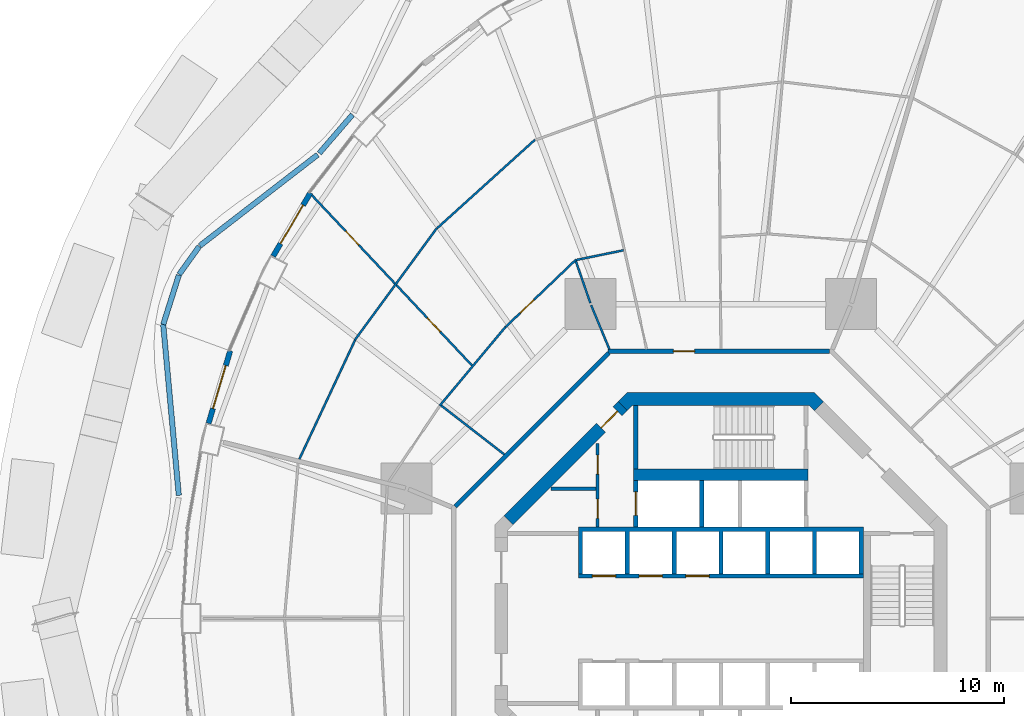
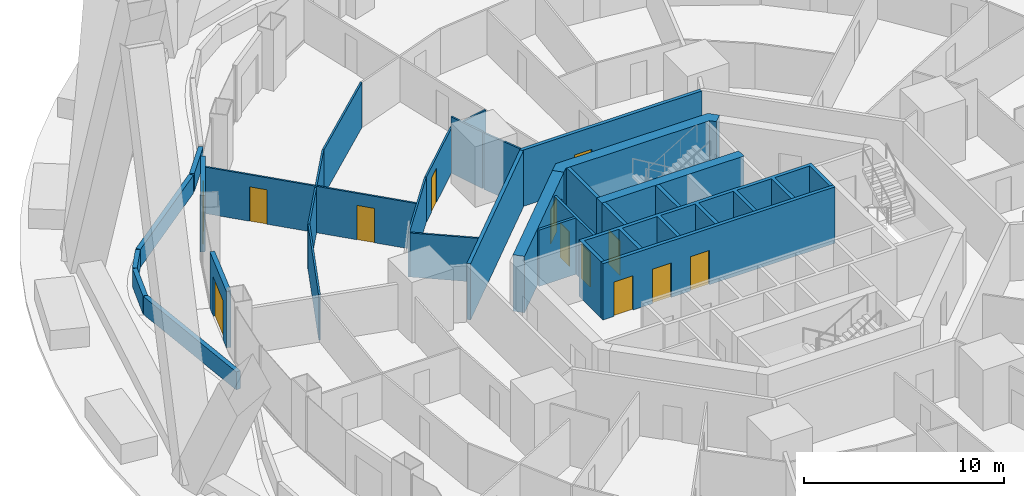
# One storey, part 37 of 42: 29 walls, 13 doors, 13 openings.
"""IFC4 building model written with IfcOpenShell, lengths in metres."""

from ifc_helpers import new_model, si_unit, direction, frame, frame_2d, origin, place, context, subcontext, project, spatial, polyline, rectangle, outline, extrude, material, layer, layer_set, type_object, element, fill, save


model = new_model("IFC4")

# Units and contexts
model_context = context("Model", 3, precision=1e-05, world=origin(), true_north=direction((0.0, 1.0)))
body_context = subcontext(model_context, "Body", "Model", "MODEL_VIEW")
ifc_project = project(units=[si_unit("LENGTHUNIT", "METRE"), si_unit("AREAUNIT", "SQUARE_METRE"), si_unit("VOLUMEUNIT", "CUBIC_METRE"), si_unit("PLANEANGLEUNIT", "RADIAN"), si_unit("MASSUNIT", "GRAM", prefix="KILO")], contexts=[model_context])

# Site, building, storey
site_placement = place(None, origin())
site = spatial("IfcSite", under=ifc_project, at=site_placement, CompositionType="ELEMENT")
building_placement = place(site_placement, origin())
building = spatial("IfcBuilding", under=site, at=building_placement, Name="Nagisa Residences", CompositionType="ELEMENT")
storey_placement = place(building_placement, frame((0.0, 0.0, 27.0)))
storey = spatial("IfcBuildingStorey", under=building, at=storey_placement, Name="L05", CompositionType="ELEMENT", Elevation=27.0)

# Wall, opening, door
ifc_material_1 = material(Name="Gypsum board on steel studs", Category="steel")
ifc_layer_1 = layer(ifc_material_1, 0.199951171875)
ifc_layer_set_1 = layer_set([ifc_layer_1], Name="Apartment entry wall EI60 200")
wall_type_1 = type_object("IfcWallType", Name="Apartment entry wall EI60 200", PredefinedType="PARTITIONING", material=ifc_layer_set_1)
wall_1_placement = place(storey_placement, frame((5.1044921875, 12.564697265625, 0.0), z_axis=(0.0, 0.0, 1.0), x_axis=(-1.0, 0.0, 0.0)))
wall_1 = element("IfcWall", 1, at=wall_1_placement, inside=storey, type_object=wall_type_1, Name="wall:L05:u10", PredefinedType="PARTITIONING", context=body_context, shape_type="SweptSolid", body=[
    extrude(rectangle(XDim=10.408935546875, YDim=0.199951171875, at=frame_2d((5.20458984375, 0.0))), origin(), (0.0, 0.0, 1.0), 3.43994140625),
])
opening_1_placement = place(wall_1_placement, frame((6.33935546875, 0.0, 0.0)))
opening_1 = element("IfcOpeningElement", 2, at=opening_1_placement, cuts=wall_1, Name="Opening L05-U15", PredefinedType="OPENING", context=body_context, shape_type="SweptSolid", body=[
    extrude(rectangle(XDim=1.0, YDim=2.10009765625, at=frame_2d((0.5, 1.050048828125))), frame((0.0, 0.10986328125, 0.0), z_axis=(0.0, -1.0, 0.0), x_axis=(1.0, 0.0, 0.0)), (0.0, 0.0, 1.0), 0.219970703125),
])
ifc_material_2 = material(Name="Timber fire door set", Category="wood")
door_type_1 = type_object("IfcDoorType", Name="Apartment entry door FD30S 1000x2100", OperationType="NOTDEFINED", PredefinedType="DOOR", material=ifc_material_2)
door_1_placement = place(opening_1_placement, frame((1.0, 0.0, 0.0), x_axis=(-1.0, 0.0, 0.0)))
door_1 = element("IfcDoor", 3, at=door_1_placement, inside=storey, type_object=door_type_1, Name="Entry door, Apartment 05B", OperationType="SINGLE_SWING_RIGHT", OverallHeight=2.10009765625, OverallWidth=1.0, PredefinedType="DOOR", context=body_context, shape_type="SweptSolid", body=[
    extrude(rectangle(XDim=1.0, YDim=2.10009765625, at=frame_2d((0.5, 1.050048828125))), frame((0.0, 0.02490234375, 0.0), z_axis=(0.0, -1.0, 0.0), x_axis=(1.0, 0.0, 0.0)), (0.0, 0.0, 1.0), 0.050048828125),
])
fill(opening_1, door_1)

# Walls
wall_2_placement = place(storey_placement, frame((-5.275146484375, 12.494140625, 0.0), z_axis=(0.0, 0.0, 1.0), x_axis=(-0.707106781187, -0.707106781187, 0.0)))
element("IfcWall", 4, at=wall_2_placement, inside=storey, type_object=wall_type_1, Name="wall:L05:u11", PredefinedType="PARTITIONING", context=body_context, shape_type="SweptSolid", body=[
    extrude(rectangle(XDim=10.209228515625, YDim=0.199951171875, at=frame_2d((5.1044921875, 0.0))), origin(), (0.0, 0.0, 1.0), 3.43994140625),
])
ifc_material_3 = material(Name="Gypsum board on steel studs", Category="steel")
ifc_layer_2 = layer(ifc_material_3, 0.10009765625)
ifc_layer_set_2 = layer_set([ifc_layer_2], Name="Apartment partition 100")
wall_type_2 = type_object("IfcWallType", Name="Apartment partition 100", PredefinedType="PARTITIONING", material=ifc_layer_set_2)
wall_3_placement = place(storey_placement, frame((-4.580322265625, 17.315185546875, 0.0), z_axis=(0.0, 0.0, 1.0), x_axis=(-0.979581941859, -0.201045316246, 0.0)))
element("IfcWall", 5, at=wall_3_placement, inside=storey, type_object=wall_type_2, Name="wall:L05:u45", PredefinedType="PARTITIONING", context=body_context, shape_type="SweptSolid", body=[
    extrude(rectangle(XDim=2.25634765625, YDim=0.10009765625, at=frame_2d((1.128173828125, 0.0))), origin(), (0.0, 0.0, 1.0), 2.756103515625),
])
wall_4_placement = place(storey_placement, frame((-5.24267578125, 12.6572265625, 0.0), z_axis=(0.0, 0.0, 1.0), x_axis=(-0.382719158442, 0.923864733477, 0.0)))
element("IfcWall", 6, at=wall_4_placement, inside=storey, type_object=wall_type_2, Name="wall:L05:u46", PredefinedType="PARTITIONING", context=body_context, shape_type="SweptSolid", body=[
    extrude(rectangle(XDim=2.25, YDim=0.10009765625, at=frame_2d((1.125, 0.0))), origin(), (0.0, 0.0, 1.0), 3.43994140625),
])
wall_5_placement = place(storey_placement, frame((-6.139404296875, 14.829833984375, 0.0), z_axis=(0.0, 0.0, 1.0), x_axis=(-0.327246993321, 0.944938836837, 0.0)))
element("IfcWall", 7, at=wall_5_placement, inside=storey, type_object=wall_type_2, Name="wall:L05:u47", PredefinedType="PARTITIONING", context=body_context, shape_type="SweptSolid", body=[
    extrude(rectangle(XDim=2.089599609375, YDim=0.10009765625, at=frame_2d((1.044921875, 0.0))), origin(), (0.0, 0.0, 1.0), 3.43994140625),
])

# Wall, opening, door
wall_6_placement = place(storey_placement, frame((-6.803466796875, 16.88623046875, 0.0), z_axis=(0.0, 0.0, 1.0), x_axis=(-0.722763212502, -0.69109575216, 0.0)))
wall_6 = element("IfcWall", 8, at=wall_6_placement, inside=storey, type_object=wall_type_2, Name="wall:L05:u48", PredefinedType="PARTITIONING", context=body_context, shape_type="SweptSolid", body=[
    extrude(rectangle(XDim=4.587158203125, YDim=0.10009765625, at=frame_2d((2.29345703125, 0.0))), origin(), (0.0, 0.0, 1.0), 2.756103515625),
])
opening_2_placement = place(wall_6_placement, frame((2.74951171875, 0.0, 0.0)))
opening_2 = element("IfcOpeningElement", 9, at=opening_2_placement, cuts=wall_6, Name="Opening L05-U26", PredefinedType="OPENING", context=body_context, shape_type="SweptSolid", body=[
    extrude(rectangle(XDim=0.89990234375, YDim=2.10009765625, at=frame_2d((0.449951171875, 1.050048828125))), frame((0.0, 0.06005859375, 0.0), z_axis=(0.0, -1.0, 0.0), x_axis=(1.0, 0.0, 0.0)), (0.0, 0.0, 1.0), 0.1201171875),
])
ifc_material_4 = material(Name="Timber door set", Category="wood")
door_type_2 = type_object("IfcDoorType", Name="Apartment door 900x2100", OperationType="NOTDEFINED", PredefinedType="DOOR", material=ifc_material_4)
door_2_placement = place(opening_2_placement, origin())
door_2 = element("IfcDoor", 10, at=door_2_placement, inside=storey, type_object=door_type_2, Name="Door to store, Apartment 05B", OperationType="SINGLE_SWING_RIGHT", OverallHeight=2.10009765625, OverallWidth=0.89990234375, PredefinedType="DOOR", context=body_context, shape_type="SweptSolid", body=[
    extrude(rectangle(XDim=0.89990234375, YDim=2.10009765625, at=frame_2d((0.449951171875, 1.050048828125))), frame((0.0, 0.02490234375, 0.0), z_axis=(0.0, -1.0, 0.0), x_axis=(1.0, 0.0, 0.0)), (0.0, 0.0, 1.0), 0.050048828125),
])
fill(opening_2, door_2)

# Walls
wall_7_placement = place(storey_placement, frame((-8.749267578125, 22.5078125, 0.0), z_axis=(0.0, 0.0, 1.0), x_axis=(-0.741720189244, -0.670709445936, 0.0)))
element("IfcWall", 11, at=wall_7_placement, inside=storey, type_object=wall_type_2, Name="wall:L05:u49", PredefinedType="PARTITIONING", context=body_context, shape_type="SweptSolid", body=[
    extrude(rectangle(XDim=6.209228515625, YDim=0.10009765625, at=frame_2d((3.1044921875, 0.0))), origin(), (0.0, 0.0, 1.0), 2.756103515625),
])
wall_8_placement = place(storey_placement, frame((-10.122802734375, 13.719970703125, 0.0), z_axis=(0.0, 0.0, 1.0), x_axis=(-0.64083455704, -0.767679015282, 0.0)))
element("IfcWall", 12, at=wall_8_placement, inside=storey, type_object=wall_type_2, Name="wall:L05:u50", PredefinedType="PARTITIONING", context=body_context, shape_type="SweptSolid", body=[
    extrude(rectangle(XDim=4.8369140625, YDim=0.10009765625, at=frame_2d((2.41845703125, 0.0))), origin(), (0.0, 0.0, 1.0), 2.756103515625),
])
wall_9_placement = place(storey_placement, frame((-13.3623046875, 18.35009765625, 0.0), z_axis=(0.0, 0.0, 1.0), x_axis=(-0.591191311491, -0.806531359104, 0.0)))
element("IfcWall", 13, at=wall_9_placement, inside=storey, type_object=wall_type_2, Name="wall:L05:u51", PredefinedType="PARTITIONING", context=body_context, shape_type="SweptSolid", body=[
    extrude(rectangle(XDim=6.510009765625, YDim=0.10009765625, at=frame_2d((3.2548828125, 0.0))), origin(), (0.0, 0.0, 1.0), 2.756103515625),
])

# Wall, openings, doors
wall_10_placement = place(storey_placement, frame((-11.706787109375, 11.89990234375, 0.0), z_axis=(0.0, 0.0, 1.0), x_axis=(-0.685030806147, 0.728514100501, 0.0)))
wall_10 = element("IfcWall", 14, at=wall_10_placement, inside=storey, type_object=wall_type_2, Name="wall:L05:u52", PredefinedType="PARTITIONING", context=body_context, shape_type="SweptSolid", body=[
    extrude(rectangle(XDim=11.201171875, YDim=0.10009765625, at=frame_2d((5.6005859375, 0.0))), origin(), (0.0, 0.0, 1.0), 2.8369140625),
])
opening_3_placement = place(wall_10_placement, frame((2.16943359375, 0.0, 0.0)))
opening_3 = element("IfcOpeningElement", 15, at=opening_3_placement, cuts=wall_10, Name="Opening L05-U21", PredefinedType="OPENING", context=body_context, shape_type="SweptSolid", body=[
    extrude(rectangle(XDim=0.89990234375, YDim=2.10009765625, at=frame_2d((0.449951171875, 1.050048828125))), frame((0.0, 0.06005859375, 0.0), z_axis=(0.0, -1.0, 0.0), x_axis=(1.0, 0.0, 0.0)), (0.0, 0.0, 1.0), 0.1201171875),
])
opening_4_placement = place(wall_10_placement, frame((7.77001953125, 0.0, 0.0)))
opening_4 = element("IfcOpeningElement", 16, at=opening_4_placement, cuts=wall_10, Name="Opening L05-U25", PredefinedType="OPENING", context=body_context, shape_type="SweptSolid", body=[
    extrude(rectangle(XDim=0.89990234375, YDim=2.10009765625, at=frame_2d((0.449951171875, 1.050048828125))), frame((0.0, 0.06005859375, 0.0), z_axis=(0.0, -1.0, 0.0), x_axis=(1.0, 0.0, 0.0)), (0.0, 0.0, 1.0), 0.1201171875),
])
door_3_placement = place(opening_3_placement, origin())
door_3 = element("IfcDoor", 17, at=door_3_placement, inside=storey, type_object=door_type_2, Name="Door to study, Apartment 05B", OperationType="SINGLE_SWING_LEFT", OverallHeight=2.10009765625, OverallWidth=0.89990234375, PredefinedType="DOOR", context=body_context, shape_type="SweptSolid", body=[
    extrude(rectangle(XDim=0.89990234375, YDim=2.10009765625, at=frame_2d((0.449951171875, 1.050048828125))), frame((0.0, 0.02490234375, 0.0), z_axis=(0.0, -1.0, 0.0), x_axis=(1.0, 0.0, 0.0)), (0.0, 0.0, 1.0), 0.050048828125),
])
fill(opening_3, door_3)
door_4_placement = place(opening_4_placement, origin())
door_4 = element("IfcDoor", 18, at=door_4_placement, inside=storey, type_object=door_type_2, Name="Door to master bedroom, Apartment 05B", OperationType="SINGLE_SWING_LEFT", OverallHeight=2.10009765625, OverallWidth=0.89990234375, PredefinedType="DOOR", context=body_context, shape_type="SweptSolid", body=[
    extrude(rectangle(XDim=0.89990234375, YDim=2.10009765625, at=frame_2d((0.449951171875, 1.050048828125))), frame((0.0, 0.02490234375, 0.0), z_axis=(0.0, -1.0, 0.0), x_axis=(1.0, 0.0, 0.0)), (0.0, 0.0, 1.0), 0.050048828125),
])
fill(opening_4, door_4)

# Walls
wall_11_placement = place(storey_placement, frame((-10.1904296875, 7.71923828125, 0.0), z_axis=(0.0, 0.0, 1.0), x_axis=(-0.790253294643, 0.612780327937, 0.0)))
element("IfcWall", 19, at=wall_11_placement, inside=storey, type_object=wall_type_2, Name="wall:L05:u53", PredefinedType="PARTITIONING", context=body_context, shape_type="SweptSolid", body=[
    extrude(rectangle(XDim=3.745849609375, YDim=0.10009765625, at=frame_2d((1.873046875, 0.0))), origin(), (0.0, 0.0, 1.0), 2.68701171875),
])
wall_12_placement = place(storey_placement, frame((-17.20263671875, 13.0947265625, 0.0), z_axis=(0.0, 0.0, 1.0), x_axis=(-0.423926333401, -0.905696673202, 0.0)))
element("IfcWall", 20, at=wall_12_placement, inside=storey, type_object=wall_type_2, Name="wall:L05:u55", PredefinedType="PARTITIONING", context=body_context, shape_type="SweptSolid", body=[
    extrude(rectangle(XDim=6.1875, YDim=0.10009765625, at=frame_2d((3.09375, 0.0))), origin(), (0.0, 0.0, 1.0), 2.756103515625),
])

# Wall, opening, door
ifc_material_5 = material(Name="Precast concrete C40/50", Category="concrete")
ifc_layer_3 = layer(ifc_material_5, 0.25)
ifc_layer_set_3 = layer_set([ifc_layer_3], Name="BALCONY DOOR WALL 250")
wall_type_3 = type_object("IfcWallType", Name="BALCONY DOOR WALL 250", PredefinedType="SOLIDWALL", material=ifc_layer_set_3)
wall_13_placement = place(storey_placement, frame((-21.052490234375, 17.040283203125, 0.0), z_axis=(0.0, 0.0, 1.0), x_axis=(0.506311160839, 0.862350861546, 0.0)))
wall_13 = element("IfcWall", 21, at=wall_13_placement, inside=storey, type_object=wall_type_3, Name="wall:L05:bay19", PredefinedType="SOLIDWALL", context=body_context, shape_type="SweptSolid", body=[
    extrude(rectangle(XDim=3.462158203125, YDim=0.25, at=frame_2d((1.73095703125, 0.0))), origin(), (0.0, 0.0, 1.0), 3.43994140625),
])
opening_5_placement = place(wall_13_placement, frame((0.68115234375, 0.0, 0.0)))
opening_5 = element("IfcOpeningElement", 22, at=opening_5_placement, cuts=wall_13, Name="Opening BD-L05-07", PredefinedType="OPENING", context=body_context, shape_type="SweptSolid", body=[
    extrude(rectangle(XDim=2.10009765625, YDim=2.39990234375, at=frame_2d((1.050048828125, 1.199951171875))), frame((0.0, 0.135009765625, 0.0), z_axis=(0.0, -1.0, 0.0), x_axis=(1.0, 0.0, 0.0)), (0.0, 0.0, 1.0), 0.27001953125),
])
ifc_material_6 = material(Name="Aluminium and clear glass", Category="aluminium")
door_type_3 = type_object("IfcDoorType", Name="BALCONY SLIDING DOOR 2100x2400", OperationType="SLIDING_TO_LEFT", PredefinedType="DOOR", material=ifc_material_6)
door_5_placement = place(opening_5_placement, origin())
door_5 = element("IfcDoor", 23, at=door_5_placement, inside=storey, type_object=door_type_3, Name="door:L05:bay19", OperationType="SLIDING_TO_LEFT", OverallHeight=2.39990234375, OverallWidth=2.10009765625, PredefinedType="DOOR", context=body_context, shape_type="SweptSolid", body=[
    extrude(rectangle(XDim=2.10009765625, YDim=2.39990234375, at=frame_2d((1.050048828125, 1.199951171875))), frame((0.0, 0.02490234375, 0.0), z_axis=(0.0, -1.0, 0.0), x_axis=(1.0, 0.0, 0.0)), (0.0, 0.0, 1.0), 0.050048828125),
])
fill(opening_5, door_5)

wall_14_placement = place(storey_placement, frame((-24.092041015625, 9.176025390625, 0.0), z_axis=(0.0, 0.0, 1.0), x_axis=(0.285871309426, 0.958268018065, 0.0)))
wall_14 = element("IfcWall", 24, at=wall_14_placement, inside=storey, type_object=wall_type_3, Name="wall:L05:bay21", PredefinedType="SOLIDWALL", context=body_context, shape_type="SweptSolid", body=[
    extrude(rectangle(XDim=3.5654296875, YDim=0.25, at=frame_2d((1.78271484375, 0.0))), origin(), (0.0, 0.0, 1.0), 3.43994140625),
])
opening_6_placement = place(wall_14_placement, frame((0.732666015625, 0.0, 0.0)))
opening_6 = element("IfcOpeningElement", 25, at=opening_6_placement, cuts=wall_14, Name="Opening BD-L05-08", PredefinedType="OPENING", context=body_context, shape_type="SweptSolid", body=[
    extrude(rectangle(XDim=2.10009765625, YDim=2.39990234375, at=frame_2d((1.050048828125, 1.199951171875))), frame((0.0, 0.135009765625, 0.0), z_axis=(0.0, -1.0, 0.0), x_axis=(1.0, 0.0, 0.0)), (0.0, 0.0, 1.0), 0.27001953125),
])
door_6_placement = place(opening_6_placement, origin())
door_6 = element("IfcDoor", 26, at=door_6_placement, inside=storey, type_object=door_type_3, Name="door:L05:bay21", OperationType="SLIDING_TO_LEFT", OverallHeight=2.39990234375, OverallWidth=2.10009765625, PredefinedType="DOOR", context=body_context, shape_type="SweptSolid", body=[
    extrude(rectangle(XDim=2.10009765625, YDim=2.39990234375, at=frame_2d((1.050048828125, 1.199951171875))), frame((0.0, 0.02490234375, 0.0), z_axis=(0.0, -1.0, 0.0), x_axis=(1.0, 0.0, 0.0)), (0.0, 0.0, 1.0), 0.050048828125),
])
fill(opening_6, door_6)

# Wall, openings, doors
ifc_material_7 = material(Name="Gypsum board on steel studs", Category="steel")
ifc_layer_4 = layer(ifc_material_7, 0.14990234375)
ifc_layer_set_4 = layer_set([ifc_layer_4], Name="Core partition 150")
wall_type_4 = type_object("IfcWallType", Name="Core partition 150", PredefinedType="PARTITIONING", material=ifc_layer_set_4)
wall_15_placement = place(storey_placement, frame((-5.800048828125, 4.300048828125, 0.0), z_axis=(0.0, 0.0, 1.0), x_axis=(0.0, 1.0, 0.0)))
wall_15 = element("IfcWall", 27, at=wall_15_placement, inside=storey, type_object=wall_type_4, Name="wall:L05:NWp", PredefinedType="PARTITIONING", context=body_context, shape_type="SweptSolid", body=[
    extrude(rectangle(XDim=3.927001953125, YDim=0.14990234375, at=frame_2d((1.96337890625, 0.0))), origin(), (0.0, 0.0, 1.0), 3.43994140625),
])
opening_7_placement = place(wall_15_placement, frame((0.41259765625, 0.0, 0.0)))
opening_7 = element("IfcOpeningElement", 28, at=opening_7_placement, cuts=wall_15, Name="Opening L05-C12", PredefinedType="OPENING", context=body_context, shape_type="SweptSolid", body=[
    extrude(rectangle(XDim=0.89990234375, YDim=2.10009765625, at=frame_2d((0.449951171875, 1.050048828125))), frame((0.0, 0.0849609375, 0.0), z_axis=(0.0, -1.0, 0.0), x_axis=(1.0, 0.0, 0.0)), (0.0, 0.0, 1.0), 0.169921875),
])
opening_8_placement = place(wall_15_placement, frame((2.488525390625, 0.0, 0.0)))
opening_8 = element("IfcOpeningElement", 29, at=opening_8_placement, cuts=wall_15, Name="Opening L05-C13", PredefinedType="OPENING", context=body_context, shape_type="SweptSolid", body=[
    extrude(rectangle(XDim=0.89990234375, YDim=2.10009765625, at=frame_2d((0.449951171875, 1.050048828125))), frame((0.0, 0.0849609375, 0.0), z_axis=(0.0, -1.0, 0.0), x_axis=(1.0, 0.0, 0.0)), (0.0, 0.0, 1.0), 0.169921875),
])
ifc_material_8 = material(Name="Steel fire door", Category="steel")
door_type_4 = type_object("IfcDoorType", Name="Fire door EI30 900x2100 single swing", OperationType="NOTDEFINED", PredefinedType="DOOR", material=ifc_material_8)
door_7_placement = place(opening_7_placement, origin())
door_7 = element("IfcDoor", 30, at=door_7_placement, inside=storey, type_object=door_type_4, Name="Linen store door L05", OperationType="SINGLE_SWING_LEFT", OverallHeight=2.10009765625, OverallWidth=0.89990234375, PredefinedType="DOOR", context=body_context, shape_type="SweptSolid", body=[
    extrude(rectangle(XDim=0.89990234375, YDim=2.10009765625, at=frame_2d((0.449951171875, 1.050048828125))), frame((0.0, 0.02490234375, 0.0), z_axis=(0.0, -1.0, 0.0), x_axis=(1.0, 0.0, 0.0)), (0.0, 0.0, 1.0), 0.050048828125),
])
fill(opening_7, door_7)
door_8_placement = place(opening_8_placement, origin())
door_8 = element("IfcDoor", 31, at=door_8_placement, inside=storey, type_object=door_type_4, Name="Refuse room door L05", OperationType="SINGLE_SWING_LEFT", OverallHeight=2.10009765625, OverallWidth=0.89990234375, PredefinedType="DOOR", context=body_context, shape_type="SweptSolid", body=[
    extrude(rectangle(XDim=0.89990234375, YDim=2.10009765625, at=frame_2d((0.449951171875, 1.050048828125))), frame((0.0, 0.02490234375, 0.0), z_axis=(0.0, -1.0, 0.0), x_axis=(1.0, 0.0, 0.0)), (0.0, 0.0, 1.0), 0.050048828125),
])
fill(opening_8, door_8)

# Wall
wall_16_placement = place(storey_placement, frame((-8.0009765625, 6.10009765625, 0.0), z_axis=(0.0, 0.0, 1.0), x_axis=(1.0, 0.0, 0.0)))
element("IfcWall", 32, at=wall_16_placement, inside=storey, type_object=wall_type_4, Name="wall:L05:NWq", PredefinedType="PARTITIONING", context=body_context, shape_type="SweptSolid", body=[
    extrude(rectangle(XDim=2.1259765625, YDim=0.14990234375, at=frame_2d((1.06298828125, 0.0))), origin(), (0.0, 0.0, 1.0), 3.43994140625),
])

# Wall, opening, door
ifc_material_9 = material(Name="Concrete C60", Category="concrete")
ifc_layer_5 = layer(ifc_material_9, 0.60009765625)
ifc_layer_set_5 = layer_set([ifc_layer_5], Name="Core shear wall 600")
wall_type_5 = type_object("IfcWallType", Name="Core shear wall 600", PredefinedType="SHEAR", material=ifc_layer_set_5)
wall_17_placement = place(storey_placement, frame((-4.613037109375, 9.98828125, 0.0), z_axis=(0.0, 0.0, 1.0), x_axis=(-0.707106781187, -0.707106781187, 0.0)))
wall_17 = element("IfcWall", 33, at=wall_17_placement, inside=storey, type_object=wall_type_5, Name="wall:L05:core:flat3", PredefinedType="SHEAR", context=body_context, shape_type="SweptSolid", body=[
    extrude(rectangle(XDim=7.601806640625, YDim=0.60009765625, at=frame_2d((3.80078125, 0.0))), origin(), (0.0, 0.0, 1.0), 3.43994140625),
])
opening_9_placement = place(wall_17_placement, frame((0.350830078125, 0.0, 0.0)))
opening_9 = element("IfcOpeningElement", 34, at=opening_9_placement, cuts=wall_17, Name="Opening L05-C21", PredefinedType="OPENING", context=body_context, shape_type="SweptSolid", body=[
    extrude(rectangle(XDim=1.10009765625, YDim=2.10009765625, at=frame_2d((0.550048828125, 1.050048828125))), frame((0.0, 0.31005859375, 0.0), z_axis=(0.0, -1.0, 0.0), x_axis=(1.0, 0.0, 0.0)), (0.0, 0.0, 1.0), 0.6201171875),
])
ifc_material_10 = material(Name="Steel fire door", Category="steel")
door_type_5 = type_object("IfcDoorType", Name="Fire door EI60 1100x2100 single swing", OperationType="NOTDEFINED", PredefinedType="DOOR", material=ifc_material_10)
door_9_placement = place(opening_9_placement, origin())
door_9 = element("IfcDoor", 35, at=door_9_placement, inside=storey, type_object=door_type_5, Name="Service lobby door L05", OperationType="SINGLE_SWING_LEFT", OverallHeight=2.10009765625, OverallWidth=1.10009765625, PredefinedType="DOOR", context=body_context, shape_type="SweptSolid", body=[
    extrude(rectangle(XDim=1.10009765625, YDim=2.10009765625, at=frame_2d((0.550048828125, 1.050048828125))), frame((0.0, 0.02490234375, 0.0), z_axis=(0.0, -1.0, 0.0), x_axis=(1.0, 0.0, 0.0)), (0.0, 0.0, 1.0), 0.050048828125),
])
fill(opening_9, door_9)

# Wall
wall_18_placement = place(storey_placement, origin())
element("IfcWall", 36, at=wall_18_placement, inside=storey, type_object=wall_type_5, Name="wall:L05:core:flat2", PredefinedType="SHEAR", context=body_context, shape_type="SweptSolid", body=[
    extrude(outline(polyline([(-4.15234375, 10.024658203125), (-4.40087890625, 9.776123046875), (-4.8251953125, 10.200439453125), (-4.40087890625, 10.62451171875), (4.40087890625, 10.62451171875), (4.8251953125, 10.200439453125), (4.40087890625, 9.776123046875), (4.15234375, 10.024658203125), (-4.15234375, 10.024658203125)])), origin(), (0.0, 0.0, 1.0), 3.43994140625),
])

# Wall, opening, door
ifc_material_11 = material(Name="Concrete C60", Category="concrete")
ifc_layer_6 = layer(ifc_material_11, 0.199951171875)
ifc_layer_set_6 = layer_set([ifc_layer_6], Name="Lift shaft wall 200")
wall_type_6 = type_object("IfcWallType", Name="Lift shaft wall 200", PredefinedType="SOLIDWALL", material=ifc_layer_set_6)
wall_19_placement = place(storey_placement, frame((-4.0, 4.300048828125, 0.0), z_axis=(0.0, 0.0, 1.0), x_axis=(0.0, 1.0, 0.0)))
wall_19 = element("IfcWall", 37, at=wall_19_placement, inside=storey, type_object=wall_type_6, Name="wall:L05:Nb4", PredefinedType="SOLIDWALL", context=body_context, shape_type="SweptSolid", body=[
    extrude(rectangle(XDim=2.199951171875, YDim=0.199951171875, at=frame_2d((1.10009765625, 0.0))), origin(), (0.0, 0.0, 1.0), 3.43994140625),
])
opening_10_placement = place(wall_19_placement, frame((0.550048828125, 0.0, 0.0)))
opening_10 = element("IfcOpeningElement", 38, at=opening_10_placement, cuts=wall_19, Name="Opening L05-C08", PredefinedType="OPENING", context=body_context, shape_type="SweptSolid", body=[
    extrude(rectangle(XDim=1.10009765625, YDim=2.10009765625, at=frame_2d((0.550048828125, 1.050048828125))), frame((0.0, 0.10986328125, 0.0), z_axis=(0.0, -1.0, 0.0), x_axis=(1.0, 0.0, 0.0)), (0.0, 0.0, 1.0), 0.219970703125),
])
ifc_material_12 = material(Name="Stainless steel", Category="steel")
door_type_6 = type_object("IfcDoorType", Name="Lift landing door 1100x2100", OperationType="DOUBLE_DOOR_SLIDING", PredefinedType="DOOR", material=ifc_material_12)
door_10_placement = place(opening_10_placement, origin())
door_10 = element("IfcDoor", 39, at=door_10_placement, inside=storey, type_object=door_type_6, Name="Landing door SV L05", OperationType="DOUBLE_DOOR_SLIDING", OverallHeight=2.10009765625, OverallWidth=1.10009765625, PredefinedType="DOOR", context=body_context, shape_type="SweptSolid", body=[
    extrude(rectangle(XDim=1.10009765625, YDim=2.10009765625, at=frame_2d((0.550048828125, 1.050048828125))), frame((0.0, 0.02490234375, 0.0), z_axis=(0.0, -1.0, 0.0), x_axis=(1.0, 0.0, 0.0)), (0.0, 0.0, 1.0), 0.050048828125),
])
fill(opening_10, door_10)

# Wall, openings, doors
wall_20_placement = place(storey_placement, frame((-6.699951171875, 2.0, 0.0), z_axis=(0.0, 0.0, 1.0), x_axis=(1.0, 0.0, 0.0)))
wall_20 = element("IfcWall", 40, at=wall_20_placement, inside=storey, type_object=wall_type_6, Name="wall:L05:Nfront", PredefinedType="SOLIDWALL", context=body_context, shape_type="SweptSolid", body=[
    extrude(rectangle(XDim=13.39990234375, YDim=0.199951171875, at=frame_2d((6.699951171875, 0.0))), origin(), (0.0, 0.0, 1.0), 3.43994140625),
])
opening_11_placement = place(wall_20_placement, frame((0.64990234375, 0.0, 0.0)))
opening_11 = element("IfcOpeningElement", 41, at=opening_11_placement, cuts=wall_20, Name="Opening L05-C01", PredefinedType="OPENING", context=body_context, shape_type="SweptSolid", body=[
    extrude(rectangle(XDim=1.10009765625, YDim=2.10009765625, at=frame_2d((0.550048828125, 1.050048828125))), frame((0.0, 0.10986328125, 0.0), z_axis=(0.0, -1.0, 0.0), x_axis=(1.0, 0.0, 0.0)), (0.0, 0.0, 1.0), 0.219970703125),
])
opening_12_placement = place(wall_20_placement, frame((2.85009765625, 0.0, 0.0)))
opening_12 = element("IfcOpeningElement", 42, at=opening_12_placement, cuts=wall_20, Name="Opening L05-C02", PredefinedType="OPENING", context=body_context, shape_type="SweptSolid", body=[
    extrude(rectangle(XDim=1.10009765625, YDim=2.10009765625, at=frame_2d((0.550048828125, 1.050048828125))), frame((0.0, 0.10986328125, 0.0), z_axis=(0.0, -1.0, 0.0), x_axis=(1.0, 0.0, 0.0)), (0.0, 0.0, 1.0), 0.219970703125),
])
opening_13_placement = place(wall_20_placement, frame((5.050048828125, 0.0, 0.0)))
opening_13 = element("IfcOpeningElement", 43, at=opening_13_placement, cuts=wall_20, Name="Opening L05-C03", PredefinedType="OPENING", context=body_context, shape_type="SweptSolid", body=[
    extrude(rectangle(XDim=1.10009765625, YDim=2.10009765625, at=frame_2d((0.550048828125, 1.050048828125))), frame((0.0, 0.10986328125, 0.0), z_axis=(0.0, -1.0, 0.0), x_axis=(1.0, 0.0, 0.0)), (0.0, 0.0, 1.0), 0.219970703125),
])
door_11_placement = place(opening_11_placement, origin())
door_11 = element("IfcDoor", 44, at=door_11_placement, inside=storey, type_object=door_type_6, Name="Landing door A1 L05", OperationType="DOUBLE_DOOR_SLIDING", OverallHeight=2.10009765625, OverallWidth=1.10009765625, PredefinedType="DOOR", context=body_context, shape_type="SweptSolid", body=[
    extrude(rectangle(XDim=1.10009765625, YDim=2.10009765625, at=frame_2d((0.550048828125, 1.050048828125))), frame((0.0, 0.02490234375, 0.0), z_axis=(0.0, -1.0, 0.0), x_axis=(1.0, 0.0, 0.0)), (0.0, 0.0, 1.0), 0.050048828125),
])
fill(opening_11, door_11)
door_12_placement = place(opening_12_placement, origin())
door_12 = element("IfcDoor", 45, at=door_12_placement, inside=storey, type_object=door_type_6, Name="Landing door A2 L05", OperationType="DOUBLE_DOOR_SLIDING", OverallHeight=2.10009765625, OverallWidth=1.10009765625, PredefinedType="DOOR", context=body_context, shape_type="SweptSolid", body=[
    extrude(rectangle(XDim=1.10009765625, YDim=2.10009765625, at=frame_2d((0.550048828125, 1.050048828125))), frame((0.0, 0.02490234375, 0.0), z_axis=(0.0, -1.0, 0.0), x_axis=(1.0, 0.0, 0.0)), (0.0, 0.0, 1.0), 0.050048828125),
])
fill(opening_12, door_12)
door_13_placement = place(opening_13_placement, origin())
door_13 = element("IfcDoor", 46, at=door_13_placement, inside=storey, type_object=door_type_6, Name="Landing door A3 L05", OperationType="DOUBLE_DOOR_SLIDING", OverallHeight=2.10009765625, OverallWidth=1.10009765625, PredefinedType="DOOR", context=body_context, shape_type="SweptSolid", body=[
    extrude(rectangle(XDim=1.10009765625, YDim=2.10009765625, at=frame_2d((0.550048828125, 1.050048828125))), frame((0.0, 0.02490234375, 0.0), z_axis=(0.0, -1.0, 0.0), x_axis=(1.0, 0.0, 0.0)), (0.0, 0.0, 1.0), 0.050048828125),
])
fill(opening_13, door_13)

# Walls
wall_21_placement = place(storey_placement, frame((-0.89990234375, 4.300048828125, 0.0), z_axis=(0.0, 0.0, 1.0), x_axis=(0.0, 1.0, 0.0)))
element("IfcWall", 47, at=wall_21_placement, inside=storey, type_object=wall_type_6, Name="wall:L05:Nb1", PredefinedType="SOLIDWALL", context=body_context, shape_type="SweptSolid", body=[
    extrude(rectangle(XDim=2.199951171875, YDim=0.199951171875, at=frame_2d((1.10009765625, 0.0))), origin(), (0.0, 0.0, 1.0), 3.43994140625),
])
wall_22_placement = place(storey_placement, origin())
element("IfcWall", 48, at=wall_22_placement, inside=storey, type_object=wall_type_6, Name="wall:L05:Nback", PredefinedType="SOLIDWALL", context=body_context, shape_type="SweptSolid", body=[
    extrude(outline(polyline([(-6.5, 2.10009765625), (-6.699951171875, 2.10009765625), (-6.699951171875, 4.300048828125), (6.699951171875, 4.300048828125), (6.699951171875, 2.10009765625), (6.5, 2.10009765625), (6.5, 4.10009765625), (4.5, 4.10009765625), (4.5, 2.10009765625), (4.300048828125, 2.10009765625), (4.300048828125, 4.10009765625), (2.300048828125, 4.10009765625), (2.300048828125, 2.10009765625), (2.10009765625, 2.10009765625), (2.10009765625, 4.10009765625), (0.10009765625, 4.10009765625), (0.10009765625, 2.10009765625), (-0.10009765625, 2.10009765625), (-0.10009765625, 4.10009765625), (-2.10009765625, 4.10009765625), (-2.10009765625, 2.10009765625), (-2.300048828125, 2.10009765625), (-2.300048828125, 4.10009765625), (-4.300048828125, 4.10009765625), (-4.300048828125, 2.10009765625), (-4.5, 2.10009765625), (-4.5, 4.10009765625), (-6.5, 4.10009765625), (-6.5, 2.10009765625)])), origin(), (0.0, 0.0, 1.0), 3.43994140625),
])
ifc_material_13 = material(Name="Precast concrete C40/50", Category="concrete")
ifc_layer_7 = layer(ifc_material_13, 0.25)
ifc_layer_set_7 = layer_set([ifc_layer_7], Name="PARAPET 250")
wall_type_7 = type_object("IfcWallType", Name="PARAPET 250", PredefinedType="PARAPET", material=ifc_layer_set_7)
wall_23_placement = place(storey_placement, frame((-17.3271484375, 23.6875, 0.0), z_axis=(0.0, 0.0, 1.0), x_axis=(-0.652642199991, -0.757666258184, 0.0)))
element("IfcWall", 49, at=wall_23_placement, inside=storey, type_object=wall_type_7, Name="parapet:L05:bal06-0-00", PredefinedType="PARAPET", context=body_context, shape_type="SweptSolid", body=[
    extrude(rectangle(XDim=2.387451171875, YDim=0.25, at=frame_2d((1.19384765625, 0.0))), origin(), (0.0, 0.0, 1.0), 1.10009765625),
])
wall_24_placement = place(storey_placement, frame((-18.96142578125, 21.806640625, 0.0), z_axis=(0.0, 0.0, 1.0), x_axis=(-0.791260452579, -0.611479268811, 0.0)))
element("IfcWall", 50, at=wall_24_placement, inside=storey, type_object=wall_type_7, Name="parapet:L05:bal06-0-01", PredefinedType="PARAPET", context=body_context, shape_type="SweptSolid", body=[
    extrude(rectangle(XDim=6.9990234375, YDim=0.25, at=frame_2d((3.49951171875, 0.0))), origin(), (0.0, 0.0, 1.0), 1.10009765625),
])
wall_25_placement = place(storey_placement, frame((-24.529296875, 17.49609375, 0.0), z_axis=(0.0, 0.0, 1.0), x_axis=(-0.58295122618, -0.812507149443, 0.0)))
element("IfcWall", 51, at=wall_25_placement, inside=storey, type_object=wall_type_7, Name="parapet:L05:bal06-0-02", PredefinedType="PARAPET", context=body_context, shape_type="SweptSolid", body=[
    extrude(rectangle(XDim=1.616455078125, YDim=0.25, at=frame_2d((0.80810546875, 0.0))), origin(), (0.0, 0.0, 1.0), 1.10009765625),
])
wall_26_placement = place(storey_placement, frame((-25.4892578125, 16.147216796875, 0.0), z_axis=(0.0, 0.0, 1.0), x_axis=(-0.301001844012, -0.953623557753, 0.0)))
element("IfcWall", 52, at=wall_26_placement, inside=storey, type_object=wall_type_7, Name="parapet:L05:bal06-0-03", PredefinedType="PARAPET", context=body_context, shape_type="SweptSolid", body=[
    extrude(rectangle(XDim=2.435791015625, YDim=0.25, at=frame_2d((1.2177734375, 0.0))), origin(), (0.0, 0.0, 1.0), 1.10009765625),
])
wall_27_placement = place(storey_placement, frame((-26.223388671875, 13.822265625, 0.0), z_axis=(0.0, 0.0, 1.0), x_axis=(0.090830569169, -0.995866360364, 0.0)))
element("IfcWall", 53, at=wall_27_placement, inside=storey, type_object=wall_type_7, Name="parapet:L05:bal07-0-00", PredefinedType="PARAPET", context=body_context, shape_type="SweptSolid", body=[
    extrude(rectangle(XDim=8.063720703125, YDim=0.25, at=frame_2d((4.03173828125, 0.0))), origin(), (0.0, 0.0, 1.0), 1.10009765625),
])
ifc_material_14 = material(Name="Concrete C60", Category="concrete")
ifc_layer_8 = layer(ifc_material_14, 0.199951171875)
ifc_layer_set_8 = layer_set([ifc_layer_8], Name="Stair enclosure wall 200")
wall_type_8 = type_object("IfcWallType", Name="Stair enclosure wall 200", PredefinedType="SOLIDWALL", material=ifc_layer_set_8)
wall_28_placement = place(storey_placement, origin())
element("IfcWall", 54, at=wall_28_placement, inside=storey, type_object=wall_type_8, Name="wall:L05:SN_w", PredefinedType="SOLIDWALL", context=body_context, shape_type="SweptSolid", body=[
    extrude(outline(polyline([(-3.89990234375, 7.024658203125), (-4.10009765625, 7.024658203125), (-4.10009765625, 10.024658203125), (-3.89990234375, 10.024658203125), (-3.89990234375, 7.024658203125)])), origin(), (0.0, 0.0, 1.0), 3.43994140625),
])
wall_29_placement = place(storey_placement, origin())
element("IfcWall", 55, at=wall_29_placement, inside=storey, type_object=wall_type_8, Name="wall:L05:SN_s", PredefinedType="SOLIDWALL", context=body_context, shape_type="SweptSolid", body=[
    extrude(outline(polyline([(4.10009765625, 6.5), (-4.10009765625, 6.5), (-4.10009765625, 7.024658203125), (4.10009765625, 7.024658203125), (4.10009765625, 6.5)])), origin(), (0.0, 0.0, 1.0), 3.43994140625),
])

save(model, "model.ifc")
